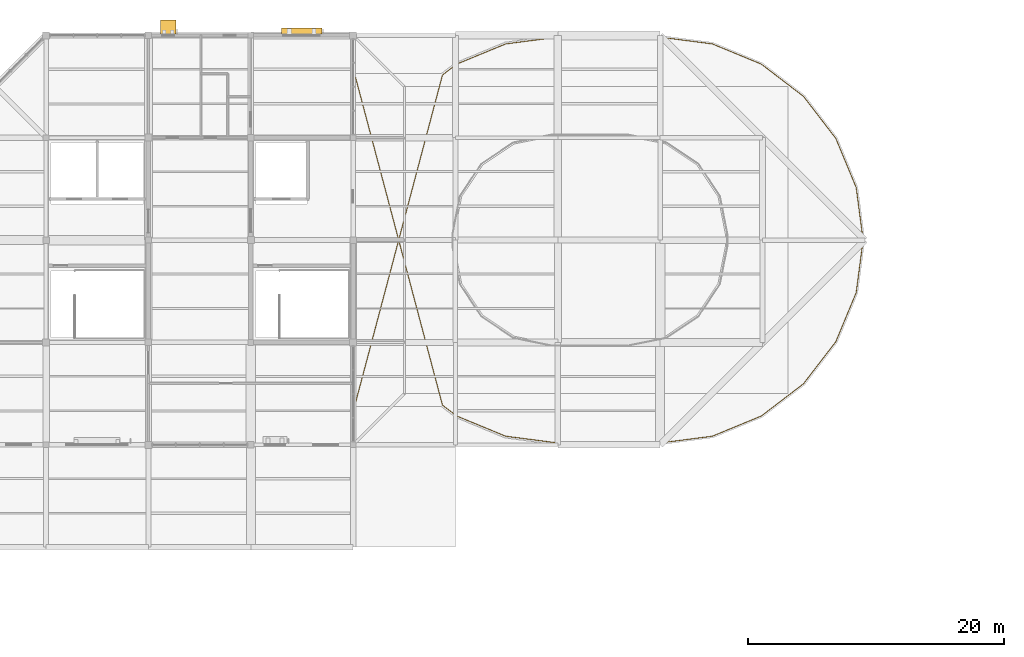
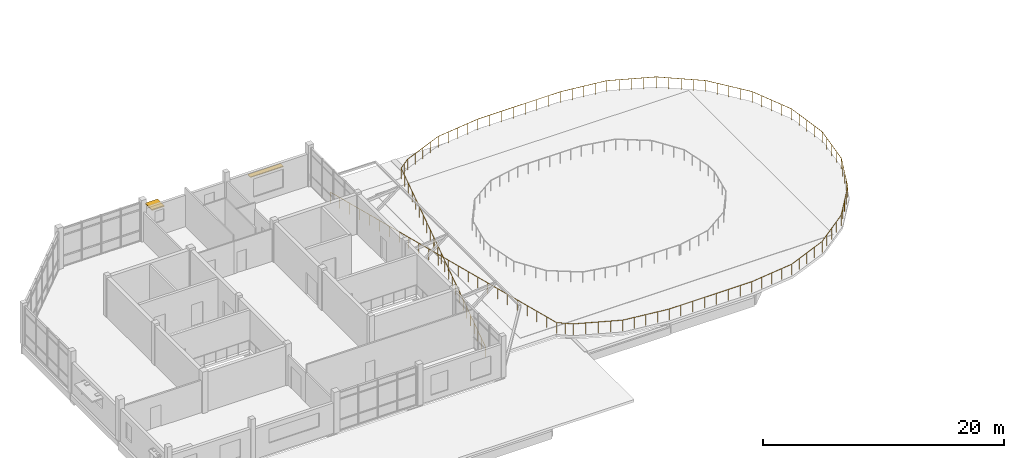
# One storey, part 44 of 44: 2 shading devices, 1 railing.
"""IFC4 building model written with IfcOpenShell, lengths in metres."""

from ifc_helpers import new_model, si_unit, direction, frame, origin, origin_2d, place, context, subcontext, project, spatial, rectangle, circle, extrude, material, layer, layer_set, type_object, element, save


model = new_model("IFC4")

# Units and contexts
model_context = context("Model", 3, precision=1e-05, world=origin(), true_north=direction((0.0, 1.0)))
body_context = subcontext(model_context, "Body", "Model", "MODEL_VIEW")
ifc_project = project(units=[si_unit("LENGTHUNIT", "METRE"), si_unit("AREAUNIT", "SQUARE_METRE"), si_unit("VOLUMEUNIT", "CUBIC_METRE"), si_unit("PLANEANGLEUNIT", "RADIAN"), si_unit("MASSUNIT", "GRAM", prefix="KILO")], contexts=[model_context])

# Site, building, storey
site_placement = place(None, origin())
site = spatial("IfcSite", under=ifc_project, at=site_placement, CompositionType="ELEMENT")
building_placement = place(site_placement, origin())
building = spatial("IfcBuilding", under=site, at=building_placement, Name="Tenunan Teduh Sports Hall", CompositionType="ELEMENT")
storey_placement = place(building_placement, frame((0.0, 0.0, 19.199951171875)))
storey = spatial("IfcBuildingStorey", under=building, at=storey_placement, Name="L04", CompositionType="ELEMENT", Elevation=19.199951171875)

# Railing
ifc_material_1 = material(Name="Galvanised and powder-coated steel", Category="steel")
ifc_layer = layer(ifc_material_1, 0.070068359375)
ifc_layer_set = layer_set([ifc_layer], Name="Galvanised and powder-coated steel")
railing_type = type_object("IfcRailingType", Name="RLG-EXT-GRD", PredefinedType="GUARDRAIL", material=ifc_layer_set)
railing_placement = place(storey_placement, frame((38.14990234375, 89.139892578125, 0.0)))
element("IfcRailing", 1, at=railing_placement, inside=storey, type_object=railing_type, Name="Stadium Oval Running Track Outer Guardrail", PredefinedType="GUARDRAIL", context=body_context, shape_type="SweptSolid", body=[
    extrude(circle(Radius=0.02392578125, at=origin_2d()), frame((0.0, 0.0, 1.09619140625), z_axis=(0.256380730795, 0.966575874351, 0.0), x_axis=(-0.966575874351, 0.256380730795, 0.0)), (0.0, 0.0, 1.0), 26.65185546875),
    extrude(circle(Radius=0.02392578125, at=origin_2d()), frame((6.8330078125, 25.760986328125, 1.09619140625), z_axis=(0.794025326854, 0.607884676821, 0.0), x_axis=(-0.607884676821, 0.794025326854, 0.0)), (0.0, 0.0, 1.0), 1.396728515625),
    extrude(circle(Radius=0.02392578125, at=origin_2d()), frame((7.942138671875, 26.610107421875, 1.09619140625), z_axis=(0.924409532527, 0.381401384598, 0.0), x_axis=(-0.381401384598, 0.924409532527, 0.0)), (0.0, 0.0, 1.0), 4.145263671875),
    extrude(circle(Radius=0.02392578125, at=origin_2d()), frame((11.774169921875, 28.191162109375, 1.09619140625), z_axis=(0.991696386018, 0.128601236229, 0.0), x_axis=(-0.128601236229, 0.991696386018, 0.0)), (0.0, 0.0, 1.0), 4.144287109375),
    extrude(circle(Radius=0.02392578125, at=origin_2d()), frame((15.884033203125, 28.72412109375, 1.09619140625), z_axis=(1.0, 0.0, 0.0), x_axis=(0.0, 1.0, 0.0)), (0.0, 0.0, 1.0), 7.93212890625),
    extrude(circle(Radius=0.02392578125, at=origin_2d()), frame((23.816162109375, 28.72412109375, 1.09619140625), z_axis=(0.991696386018, -0.128601236229, 0.0), x_axis=(0.128601236229, 0.991696386018, 0.0)), (0.0, 0.0, 1.0), 4.144287109375),
    extrude(circle(Radius=0.02392578125, at=origin_2d()), frame((27.926025390625, 28.191162109375, 1.09619140625), z_axis=(0.924409532527, -0.381401384598, 0.0), x_axis=(0.381401384598, 0.924409532527, 0.0)), (0.0, 0.0, 1.0), 4.145263671875),
    extrude(circle(Radius=0.02392578125, at=origin_2d()), frame((31.758056640625, 26.610107421875, 1.09619140625), z_axis=(0.794254192367, -0.607585613645, 0.0), x_axis=(0.607585613645, 0.794254192367, 0.0)), (0.0, 0.0, 1.0), 4.14599609375),
    extrude(circle(Radius=0.02392578125, at=origin_2d()), frame((35.051025390625, 24.091064453125, 1.09619140625), z_axis=(0.609406277452, -0.792858114042, 0.0), x_axis=(0.792858114042, 0.609406277452, 0.0)), (0.0, 0.0, 1.0), 4.146728515625),
    extrude(circle(Radius=0.02392578125, at=origin_2d()), frame((37.578125, 20.80322265625, 1.09619140625), z_axis=(0.38334451553, -0.923605425717, 0.0), x_axis=(0.923605425717, 0.38334451553, 0.0)), (0.0, 0.0, 1.0), 4.14794921875),
    extrude(circle(Radius=0.02392578125, at=origin_2d()), frame((39.168212890625, 16.97216796875, 1.09619140625), z_axis=(0.130675294719, -0.991425220251, 0.0), x_axis=(0.991425220251, 0.130675294719, 0.0)), (0.0, 0.0, 1.0), 4.147705078125),
    extrude(circle(Radius=0.02392578125, at=origin_2d()), frame((39.710205078125, 12.860107421875, 1.09619140625), z_axis=(-0.130675294719, -0.991425220251, 0.0), x_axis=(0.991425220251, -0.130675294719, 0.0)), (0.0, 0.0, 1.0), 4.147705078125),
    extrude(circle(Radius=0.02392578125, at=origin_2d()), frame((39.168212890625, 8.748046875, 1.09619140625), z_axis=(-0.38334451553, -0.923605425717, 0.0), x_axis=(0.923605425717, -0.38334451553, 0.0)), (0.0, 0.0, 1.0), 4.14794921875),
    extrude(circle(Radius=0.02392578125, at=origin_2d()), frame((37.578125, 4.9169921875, 1.09619140625), z_axis=(-0.609406277452, -0.792858114042, 0.0), x_axis=(0.792858114042, -0.609406277452, 0.0)), (0.0, 0.0, 1.0), 4.146728515625),
    extrude(circle(Radius=0.02392578125, at=origin_2d()), frame((35.051025390625, 1.629150390625, 1.09619140625), z_axis=(-0.794254192367, -0.607585613645, 0.0), x_axis=(0.607585613645, -0.794254192367, 0.0)), (0.0, 0.0, 1.0), 4.14599609375),
    extrude(circle(Radius=0.02392578125, at=origin_2d()), frame((31.758056640625, -0.889892578125, 1.09619140625), z_axis=(-0.924409532527, -0.381401384598, 0.0), x_axis=(0.381401384598, -0.924409532527, 0.0)), (0.0, 0.0, 1.0), 4.145263671875),
    extrude(circle(Radius=0.02392578125, at=origin_2d()), frame((27.926025390625, -2.470947265625, 1.09619140625), z_axis=(-0.991696386018, -0.128601236229, 0.0), x_axis=(0.128601236229, -0.991696386018, 0.0)), (0.0, 0.0, 1.0), 4.144287109375),
    extrude(circle(Radius=0.02392578125, at=origin_2d()), frame((23.816162109375, -3.00390625, 1.09619140625), z_axis=(-1.0, 0.0, 0.0), x_axis=(0.0, -1.0, 0.0)), (0.0, 0.0, 1.0), 7.93212890625),
    extrude(circle(Radius=0.02392578125, at=origin_2d()), frame((15.884033203125, -3.00390625, 1.09619140625), z_axis=(-0.991696386018, 0.128601236229, 0.0), x_axis=(-0.128601236229, -0.991696386018, 0.0)), (0.0, 0.0, 1.0), 4.144287109375),
    extrude(circle(Radius=0.02392578125, at=origin_2d()), frame((11.774169921875, -2.470947265625, 1.09619140625), z_axis=(-0.924409532527, 0.381401384598, 0.0), x_axis=(-0.381401384598, -0.924409532527, 0.0)), (0.0, 0.0, 1.0), 4.145263671875),
    extrude(circle(Radius=0.02392578125, at=origin_2d()), frame((7.942138671875, -0.889892578125, 1.09619140625), z_axis=(-0.794025326854, 0.607884676821, 0.0), x_axis=(-0.607884676821, -0.794025326854, 0.0)), (0.0, 0.0, 1.0), 1.396728515625),
    extrude(circle(Radius=0.02392578125, at=origin_2d()), frame((6.8330078125, -0.040771484375, 1.09619140625), z_axis=(-0.256380730795, 0.966575874351, 0.0), x_axis=(-0.966575874351, -0.256380730795, 0.0)), (0.0, 0.0, 1.0), 26.65185546875),
    extrude(circle(Radius=0.02099609375, at=origin_2d()), origin(), (0.0, 0.0, 1.0), 1.072021484375),
    extrude(circle(Radius=0.02099609375, at=origin_2d()), frame((0.297119140625, 1.1201171875, 0.0)), (0.0, 0.0, 1.0), 1.072021484375),
    extrude(circle(Radius=0.02099609375, at=origin_2d()), frame((0.59423828125, 2.239990234375, 0.0)), (0.0, 0.0, 1.0), 1.072021484375),
    extrude(circle(Radius=0.02099609375, at=origin_2d()), frame((0.891357421875, 3.360107421875, 0.0)), (0.0, 0.0, 1.0), 1.072021484375),
    extrude(circle(Radius=0.02099609375, at=origin_2d()), frame((1.188232421875, 4.480224609375, 0.0)), (0.0, 0.0, 1.0), 1.072021484375),
    extrude(circle(Radius=0.02099609375, at=origin_2d()), frame((1.4853515625, 5.60009765625, 0.0)), (0.0, 0.0, 1.0), 1.072021484375),
    extrude(circle(Radius=0.02099609375, at=origin_2d()), frame((1.782470703125, 6.72021484375, 0.0)), (0.0, 0.0, 1.0), 1.072021484375),
    extrude(circle(Radius=0.02099609375, at=origin_2d()), frame((2.07958984375, 7.84033203125, 0.0)), (0.0, 0.0, 1.0), 1.072021484375),
    extrude(circle(Radius=0.02099609375, at=origin_2d()), frame((2.376708984375, 8.96044921875, 0.0)), (0.0, 0.0, 1.0), 1.072021484375),
    extrude(circle(Radius=0.02099609375, at=origin_2d()), frame((2.673828125, 10.080322265625, 0.0)), (0.0, 0.0, 1.0), 1.072021484375),
    extrude(circle(Radius=0.02099609375, at=origin_2d()), frame((2.970947265625, 11.200439453125, 0.0)), (0.0, 0.0, 1.0), 1.072021484375),
    extrude(circle(Radius=0.02099609375, at=origin_2d()), frame((3.26806640625, 12.320556640625, 0.0)), (0.0, 0.0, 1.0), 1.072021484375),
    extrude(circle(Radius=0.02099609375, at=origin_2d()), frame((3.56494140625, 13.4404296875, 0.0)), (0.0, 0.0, 1.0), 1.072021484375),
    extrude(circle(Radius=0.02099609375, at=origin_2d()), frame((3.862060546875, 14.560546875, 0.0)), (0.0, 0.0, 1.0), 1.072021484375),
    extrude(circle(Radius=0.02099609375, at=origin_2d()), frame((4.1591796875, 15.6806640625, 0.0)), (0.0, 0.0, 1.0), 1.072021484375),
    extrude(circle(Radius=0.02099609375, at=origin_2d()), frame((4.456298828125, 16.800537109375, 0.0)), (0.0, 0.0, 1.0), 1.072021484375),
    extrude(circle(Radius=0.02099609375, at=origin_2d()), frame((4.75341796875, 17.920654296875, 0.0)), (0.0, 0.0, 1.0), 1.072021484375),
    extrude(circle(Radius=0.02099609375, at=origin_2d()), frame((5.050537109375, 19.040771484375, 0.0)), (0.0, 0.0, 1.0), 1.072021484375),
    extrude(circle(Radius=0.02099609375, at=origin_2d()), frame((5.34765625, 20.160888671875, 0.0)), (0.0, 0.0, 1.0), 1.072021484375),
    extrude(circle(Radius=0.02099609375, at=origin_2d()), frame((5.644775390625, 21.28076171875, 0.0)), (0.0, 0.0, 1.0), 1.072021484375),
    extrude(circle(Radius=0.02099609375, at=origin_2d()), frame((5.941650390625, 22.40087890625, 0.0)), (0.0, 0.0, 1.0), 1.072021484375),
    extrude(circle(Radius=0.02099609375, at=origin_2d()), frame((6.23876953125, 23.52099609375, 0.0)), (0.0, 0.0, 1.0), 1.072021484375),
    extrude(circle(Radius=0.02099609375, at=origin_2d()), frame((6.535888671875, 24.640869140625, 0.0)), (0.0, 0.0, 1.0), 1.072021484375),
    extrude(circle(Radius=0.02099609375, at=origin_2d()), frame((6.8330078125, 25.760986328125, 0.0)), (0.0, 0.0, 1.0), 1.072021484375),
    extrude(circle(Radius=0.02099609375, at=origin_2d()), frame((7.3876953125, 26.185546875, 0.0)), (0.0, 0.0, 1.0), 1.072021484375),
    extrude(circle(Radius=0.02099609375, at=origin_2d()), frame((7.942138671875, 26.610107421875, 0.0)), (0.0, 0.0, 1.0), 1.072021484375),
    extrude(circle(Radius=0.02099609375, at=origin_2d()), frame((8.900146484375, 27.00537109375, 0.0)), (0.0, 0.0, 1.0), 1.072021484375),
    extrude(circle(Radius=0.02099609375, at=origin_2d()), frame((9.858154296875, 27.400634765625, 0.0)), (0.0, 0.0, 1.0), 1.072021484375),
    extrude(circle(Radius=0.02099609375, at=origin_2d()), frame((10.816162109375, 27.7958984375, 0.0)), (0.0, 0.0, 1.0), 1.072021484375),
    extrude(circle(Radius=0.02099609375, at=origin_2d()), frame((11.774169921875, 28.191162109375, 0.0)), (0.0, 0.0, 1.0), 1.072021484375),
    extrude(circle(Radius=0.02099609375, at=origin_2d()), frame((12.8017578125, 28.324462890625, 0.0)), (0.0, 0.0, 1.0), 1.072021484375),
    extrude(circle(Radius=0.02099609375, at=origin_2d()), frame((13.8291015625, 28.45751953125, 0.0)), (0.0, 0.0, 1.0), 1.072021484375),
    extrude(circle(Radius=0.02099609375, at=origin_2d()), frame((14.8564453125, 28.5908203125, 0.0)), (0.0, 0.0, 1.0), 1.072021484375),
    extrude(circle(Radius=0.02099609375, at=origin_2d()), frame((15.884033203125, 28.72412109375, 0.0)), (0.0, 0.0, 1.0), 1.072021484375),
    extrude(circle(Radius=0.02099609375, at=origin_2d()), frame((17.01708984375, 28.72412109375, 0.0)), (0.0, 0.0, 1.0), 1.072021484375),
    extrude(circle(Radius=0.02099609375, at=origin_2d()), frame((18.150390625, 28.72412109375, 0.0)), (0.0, 0.0, 1.0), 1.072021484375),
    extrude(circle(Radius=0.02099609375, at=origin_2d()), frame((19.283447265625, 28.72412109375, 0.0)), (0.0, 0.0, 1.0), 1.072021484375),
    extrude(circle(Radius=0.02099609375, at=origin_2d()), frame((20.416748046875, 28.72412109375, 0.0)), (0.0, 0.0, 1.0), 1.072021484375),
    extrude(circle(Radius=0.02099609375, at=origin_2d()), frame((21.5498046875, 28.72412109375, 0.0)), (0.0, 0.0, 1.0), 1.072021484375),
    extrude(circle(Radius=0.02099609375, at=origin_2d()), frame((22.68310546875, 28.72412109375, 0.0)), (0.0, 0.0, 1.0), 1.072021484375),
    extrude(circle(Radius=0.02099609375, at=origin_2d()), frame((23.816162109375, 28.72412109375, 0.0)), (0.0, 0.0, 1.0), 1.072021484375),
    extrude(circle(Radius=0.02099609375, at=origin_2d()), frame((24.84375, 28.5908203125, 0.0)), (0.0, 0.0, 1.0), 1.072021484375),
    extrude(circle(Radius=0.02099609375, at=origin_2d()), frame((25.87109375, 28.45751953125, 0.0)), (0.0, 0.0, 1.0), 1.072021484375),
    extrude(circle(Radius=0.02099609375, at=origin_2d()), frame((26.8984375, 28.324462890625, 0.0)), (0.0, 0.0, 1.0), 1.072021484375),
    extrude(circle(Radius=0.02099609375, at=origin_2d()), frame((27.926025390625, 28.191162109375, 0.0)), (0.0, 0.0, 1.0), 1.072021484375),
    extrude(circle(Radius=0.02099609375, at=origin_2d()), frame((28.884033203125, 27.7958984375, 0.0)), (0.0, 0.0, 1.0), 1.072021484375),
    extrude(circle(Radius=0.02099609375, at=origin_2d()), frame((29.842041015625, 27.400634765625, 0.0)), (0.0, 0.0, 1.0), 1.072021484375),
    extrude(circle(Radius=0.02099609375, at=origin_2d()), frame((30.800048828125, 27.00537109375, 0.0)), (0.0, 0.0, 1.0), 1.072021484375),
    extrude(circle(Radius=0.02099609375, at=origin_2d()), frame((31.758056640625, 26.610107421875, 0.0)), (0.0, 0.0, 1.0), 1.072021484375),
    extrude(circle(Radius=0.02099609375, at=origin_2d()), frame((32.581298828125, 25.98046875, 0.0)), (0.0, 0.0, 1.0), 1.072021484375),
    extrude(circle(Radius=0.02099609375, at=origin_2d()), frame((33.404541015625, 25.3505859375, 0.0)), (0.0, 0.0, 1.0), 1.072021484375),
    extrude(circle(Radius=0.02099609375, at=origin_2d()), frame((34.227783203125, 24.720703125, 0.0)), (0.0, 0.0, 1.0), 1.072021484375),
    extrude(circle(Radius=0.02099609375, at=origin_2d()), frame((35.051025390625, 24.091064453125, 0.0)), (0.0, 0.0, 1.0), 1.072021484375),
    extrude(circle(Radius=0.02099609375, at=origin_2d()), frame((35.682861328125, 23.26904296875, 0.0)), (0.0, 0.0, 1.0), 1.072021484375),
    extrude(circle(Radius=0.02099609375, at=origin_2d()), frame((36.314453125, 22.447265625, 0.0)), (0.0, 0.0, 1.0), 1.072021484375),
    extrude(circle(Radius=0.02099609375, at=origin_2d()), frame((36.9462890625, 21.625244140625, 0.0)), (0.0, 0.0, 1.0), 1.072021484375),
    extrude(circle(Radius=0.02099609375, at=origin_2d()), frame((37.578125, 20.80322265625, 0.0)), (0.0, 0.0, 1.0), 1.072021484375),
    extrude(circle(Radius=0.02099609375, at=origin_2d()), frame((37.9755859375, 19.845458984375, 0.0)), (0.0, 0.0, 1.0), 1.072021484375),
    extrude(circle(Radius=0.02099609375, at=origin_2d()), frame((38.373046875, 18.8876953125, 0.0)), (0.0, 0.0, 1.0), 1.072021484375),
    extrude(circle(Radius=0.02099609375, at=origin_2d()), frame((38.770751953125, 17.929931640625, 0.0)), (0.0, 0.0, 1.0), 1.072021484375),
    extrude(circle(Radius=0.02099609375, at=origin_2d()), frame((39.168212890625, 16.97216796875, 0.0)), (0.0, 0.0, 1.0), 1.072021484375),
    extrude(circle(Radius=0.02099609375, at=origin_2d()), frame((39.3037109375, 15.944091796875, 0.0)), (0.0, 0.0, 1.0), 1.072021484375),
    extrude(circle(Radius=0.02099609375, at=origin_2d()), frame((39.439208984375, 14.916015625, 0.0)), (0.0, 0.0, 1.0), 1.072021484375),
    extrude(circle(Radius=0.02099609375, at=origin_2d()), frame((39.57470703125, 13.88818359375, 0.0)), (0.0, 0.0, 1.0), 1.072021484375),
    extrude(circle(Radius=0.02099609375, at=origin_2d()), frame((39.710205078125, 12.860107421875, 0.0)), (0.0, 0.0, 1.0), 1.072021484375),
    extrude(circle(Radius=0.02099609375, at=origin_2d()), frame((39.57470703125, 11.83203125, 0.0)), (0.0, 0.0, 1.0), 1.072021484375),
    extrude(circle(Radius=0.02099609375, at=origin_2d()), frame((39.439208984375, 10.80419921875, 0.0)), (0.0, 0.0, 1.0), 1.072021484375),
    extrude(circle(Radius=0.02099609375, at=origin_2d()), frame((39.3037109375, 9.776123046875, 0.0)), (0.0, 0.0, 1.0), 1.072021484375),
    extrude(circle(Radius=0.02099609375, at=origin_2d()), frame((39.168212890625, 8.748046875, 0.0)), (0.0, 0.0, 1.0), 1.072021484375),
    extrude(circle(Radius=0.02099609375, at=origin_2d()), frame((38.770751953125, 7.790283203125, 0.0)), (0.0, 0.0, 1.0), 1.072021484375),
    extrude(circle(Radius=0.02099609375, at=origin_2d()), frame((38.373046875, 6.83251953125, 0.0)), (0.0, 0.0, 1.0), 1.072021484375),
    extrude(circle(Radius=0.02099609375, at=origin_2d()), frame((37.9755859375, 5.874755859375, 0.0)), (0.0, 0.0, 1.0), 1.072021484375),
    extrude(circle(Radius=0.02099609375, at=origin_2d()), frame((37.578125, 4.9169921875, 0.0)), (0.0, 0.0, 1.0), 1.072021484375),
    extrude(circle(Radius=0.02099609375, at=origin_2d()), frame((36.9462890625, 4.094970703125, 0.0)), (0.0, 0.0, 1.0), 1.072021484375),
    extrude(circle(Radius=0.02099609375, at=origin_2d()), frame((36.314453125, 3.27294921875, 0.0)), (0.0, 0.0, 1.0), 1.072021484375),
    extrude(circle(Radius=0.02099609375, at=origin_2d()), frame((35.682861328125, 2.451171875, 0.0)), (0.0, 0.0, 1.0), 1.072021484375),
    extrude(circle(Radius=0.02099609375, at=origin_2d()), frame((35.051025390625, 1.629150390625, 0.0)), (0.0, 0.0, 1.0), 1.072021484375),
    extrude(circle(Radius=0.02099609375, at=origin_2d()), frame((34.227783203125, 0.99951171875, 0.0)), (0.0, 0.0, 1.0), 1.072021484375),
    extrude(circle(Radius=0.02099609375, at=origin_2d()), frame((33.404541015625, 0.36962890625, 0.0)), (0.0, 0.0, 1.0), 1.072021484375),
    extrude(circle(Radius=0.02099609375, at=origin_2d()), frame((32.581298828125, -0.26025390625, 0.0)), (0.0, 0.0, 1.0), 1.072021484375),
    extrude(circle(Radius=0.02099609375, at=origin_2d()), frame((31.758056640625, -0.889892578125, 0.0)), (0.0, 0.0, 1.0), 1.072021484375),
    extrude(circle(Radius=0.02099609375, at=origin_2d()), frame((30.800048828125, -1.28515625, 0.0)), (0.0, 0.0, 1.0), 1.072021484375),
    extrude(circle(Radius=0.02099609375, at=origin_2d()), frame((29.842041015625, -1.680419921875, 0.0)), (0.0, 0.0, 1.0), 1.072021484375),
    extrude(circle(Radius=0.02099609375, at=origin_2d()), frame((28.884033203125, -2.07568359375, 0.0)), (0.0, 0.0, 1.0), 1.072021484375),
    extrude(circle(Radius=0.02099609375, at=origin_2d()), frame((27.926025390625, -2.470947265625, 0.0)), (0.0, 0.0, 1.0), 1.072021484375),
    extrude(circle(Radius=0.02099609375, at=origin_2d()), frame((26.8984375, -2.604248046875, 0.0)), (0.0, 0.0, 1.0), 1.072021484375),
    extrude(circle(Radius=0.02099609375, at=origin_2d()), frame((25.87109375, -2.7373046875, 0.0)), (0.0, 0.0, 1.0), 1.072021484375),
    extrude(circle(Radius=0.02099609375, at=origin_2d()), frame((24.84375, -2.87060546875, 0.0)), (0.0, 0.0, 1.0), 1.072021484375),
    extrude(circle(Radius=0.02099609375, at=origin_2d()), frame((23.816162109375, -3.00390625, 0.0)), (0.0, 0.0, 1.0), 1.072021484375),
    extrude(circle(Radius=0.02099609375, at=origin_2d()), frame((22.68310546875, -3.00390625, 0.0)), (0.0, 0.0, 1.0), 1.072021484375),
    extrude(circle(Radius=0.02099609375, at=origin_2d()), frame((21.5498046875, -3.00390625, 0.0)), (0.0, 0.0, 1.0), 1.072021484375),
    extrude(circle(Radius=0.02099609375, at=origin_2d()), frame((20.416748046875, -3.00390625, 0.0)), (0.0, 0.0, 1.0), 1.072021484375),
    extrude(circle(Radius=0.02099609375, at=origin_2d()), frame((19.283447265625, -3.00390625, 0.0)), (0.0, 0.0, 1.0), 1.072021484375),
    extrude(circle(Radius=0.02099609375, at=origin_2d()), frame((18.150390625, -3.00390625, 0.0)), (0.0, 0.0, 1.0), 1.072021484375),
    extrude(circle(Radius=0.02099609375, at=origin_2d()), frame((17.01708984375, -3.00390625, 0.0)), (0.0, 0.0, 1.0), 1.072021484375),
    extrude(circle(Radius=0.02099609375, at=origin_2d()), frame((15.884033203125, -3.00390625, 0.0)), (0.0, 0.0, 1.0), 1.072021484375),
    extrude(circle(Radius=0.02099609375, at=origin_2d()), frame((14.8564453125, -2.87060546875, 0.0)), (0.0, 0.0, 1.0), 1.072021484375),
    extrude(circle(Radius=0.02099609375, at=origin_2d()), frame((13.8291015625, -2.7373046875, 0.0)), (0.0, 0.0, 1.0), 1.072021484375),
    extrude(circle(Radius=0.02099609375, at=origin_2d()), frame((12.8017578125, -2.604248046875, 0.0)), (0.0, 0.0, 1.0), 1.072021484375),
    extrude(circle(Radius=0.02099609375, at=origin_2d()), frame((11.774169921875, -2.470947265625, 0.0)), (0.0, 0.0, 1.0), 1.072021484375),
    extrude(circle(Radius=0.02099609375, at=origin_2d()), frame((10.816162109375, -2.07568359375, 0.0)), (0.0, 0.0, 1.0), 1.072021484375),
    extrude(circle(Radius=0.02099609375, at=origin_2d()), frame((9.858154296875, -1.680419921875, 0.0)), (0.0, 0.0, 1.0), 1.072021484375),
    extrude(circle(Radius=0.02099609375, at=origin_2d()), frame((8.900146484375, -1.28515625, 0.0)), (0.0, 0.0, 1.0), 1.072021484375),
    extrude(circle(Radius=0.02099609375, at=origin_2d()), frame((7.942138671875, -0.889892578125, 0.0)), (0.0, 0.0, 1.0), 1.072021484375),
    extrude(circle(Radius=0.02099609375, at=origin_2d()), frame((7.3876953125, -0.46533203125, 0.0)), (0.0, 0.0, 1.0), 1.072021484375),
    extrude(circle(Radius=0.02099609375, at=origin_2d()), frame((6.8330078125, -0.040771484375, 0.0)), (0.0, 0.0, 1.0), 1.072021484375),
    extrude(circle(Radius=0.02099609375, at=origin_2d()), frame((6.535888671875, 1.079345703125, 0.0)), (0.0, 0.0, 1.0), 1.072021484375),
    extrude(circle(Radius=0.02099609375, at=origin_2d()), frame((6.23876953125, 2.19921875, 0.0)), (0.0, 0.0, 1.0), 1.072021484375),
    extrude(circle(Radius=0.02099609375, at=origin_2d()), frame((5.941650390625, 3.3193359375, 0.0)), (0.0, 0.0, 1.0), 1.072021484375),
    extrude(circle(Radius=0.02099609375, at=origin_2d()), frame((5.644775390625, 4.439453125, 0.0)), (0.0, 0.0, 1.0), 1.072021484375),
    extrude(circle(Radius=0.02099609375, at=origin_2d()), frame((5.34765625, 5.559326171875, 0.0)), (0.0, 0.0, 1.0), 1.072021484375),
    extrude(circle(Radius=0.02099609375, at=origin_2d()), frame((5.050537109375, 6.679443359375, 0.0)), (0.0, 0.0, 1.0), 1.072021484375),
    extrude(circle(Radius=0.02099609375, at=origin_2d()), frame((4.75341796875, 7.799560546875, 0.0)), (0.0, 0.0, 1.0), 1.072021484375),
    extrude(circle(Radius=0.02099609375, at=origin_2d()), frame((4.456298828125, 8.919677734375, 0.0)), (0.0, 0.0, 1.0), 1.072021484375),
    extrude(circle(Radius=0.02099609375, at=origin_2d()), frame((4.1591796875, 10.03955078125, 0.0)), (0.0, 0.0, 1.0), 1.072021484375),
    extrude(circle(Radius=0.02099609375, at=origin_2d()), frame((3.862060546875, 11.15966796875, 0.0)), (0.0, 0.0, 1.0), 1.072021484375),
    extrude(circle(Radius=0.02099609375, at=origin_2d()), frame((3.56494140625, 12.27978515625, 0.0)), (0.0, 0.0, 1.0), 1.072021484375),
    extrude(circle(Radius=0.02099609375, at=origin_2d()), frame((3.26806640625, 13.399658203125, 0.0)), (0.0, 0.0, 1.0), 1.072021484375),
    extrude(circle(Radius=0.02099609375, at=origin_2d()), frame((2.970947265625, 14.519775390625, 0.0)), (0.0, 0.0, 1.0), 1.072021484375),
    extrude(circle(Radius=0.02099609375, at=origin_2d()), frame((2.673828125, 15.639892578125, 0.0)), (0.0, 0.0, 1.0), 1.072021484375),
    extrude(circle(Radius=0.02099609375, at=origin_2d()), frame((2.376708984375, 16.759765625, 0.0)), (0.0, 0.0, 1.0), 1.072021484375),
    extrude(circle(Radius=0.02099609375, at=origin_2d()), frame((2.07958984375, 17.8798828125, 0.0)), (0.0, 0.0, 1.0), 1.072021484375),
    extrude(circle(Radius=0.02099609375, at=origin_2d()), frame((1.782470703125, 19.0, 0.0)), (0.0, 0.0, 1.0), 1.072021484375),
    extrude(circle(Radius=0.02099609375, at=origin_2d()), frame((1.4853515625, 20.1201171875, 0.0)), (0.0, 0.0, 1.0), 1.072021484375),
    extrude(circle(Radius=0.02099609375, at=origin_2d()), frame((1.188232421875, 21.239990234375, 0.0)), (0.0, 0.0, 1.0), 1.072021484375),
    extrude(circle(Radius=0.02099609375, at=origin_2d()), frame((0.891357421875, 22.360107421875, 0.0)), (0.0, 0.0, 1.0), 1.072021484375),
    extrude(circle(Radius=0.02099609375, at=origin_2d()), frame((0.59423828125, 23.480224609375, 0.0)), (0.0, 0.0, 1.0), 1.072021484375),
    extrude(circle(Radius=0.02099609375, at=origin_2d()), frame((0.297119140625, 24.60009765625, 0.0)), (0.0, 0.0, 1.0), 1.072021484375),
    extrude(circle(Radius=0.02099609375, at=origin_2d()), frame((0.0, 25.72021484375, 0.0)), (0.0, 0.0, 1.0), 1.072021484375),
])

# Shading devices
ifc_material_2 = material(Name="Perforated anodised aluminium", Category="aluminium")
shading_device_type_1 = type_object("IfcShadingDeviceType", Name="SHD-LOUVRE-1", PredefinedType="AWNING", material=ifc_material_2)
shading_device_1_placement = place(storey_placement, frame((33.97998046875, 118.340087890625, 2.570068359375), z_axis=(0.0, 0.0, 1.0), x_axis=(1.0, 0.0, 0.0)))
element("IfcShadingDevice", 2, at=shading_device_1_placement, inside=storey, type_object=shading_device_type_1, Name="SHD-L04-069", PredefinedType="AWNING", context=body_context, shape_type="SweptSolid", body=[
    extrude(rectangle(XDim=3.14990234375, YDim=0.449951171875, at=origin_2d()), origin(), (0.0, 0.0, 1.0), 0.080078125),
])
ifc_material_3 = material(Name="Perforated anodised aluminium", Category="aluminium")
shading_device_type_2 = type_object("IfcShadingDeviceType", Name="SHD-SUNSHADE-1", PredefinedType="JALOUSIE", material=ifc_material_3)
shading_device_2_placement = place(storey_placement, frame((23.550048828125, 118.64990234375, 2.550048828125), z_axis=(0.0, 0.0, 1.0), x_axis=(1.0, 0.0, 0.0)))
element("IfcShadingDevice", 3, at=shading_device_2_placement, inside=storey, type_object=shading_device_type_2, Name="SHD-L04-068", PredefinedType="JALOUSIE", context=body_context, shape_type="SweptSolid", body=[
    extrude(rectangle(XDim=1.199951171875, YDim=1.10009765625, at=origin_2d()), origin(), (0.0, 0.0, 1.0), 0.1201171875),
])

save(model, "model.ifc")
